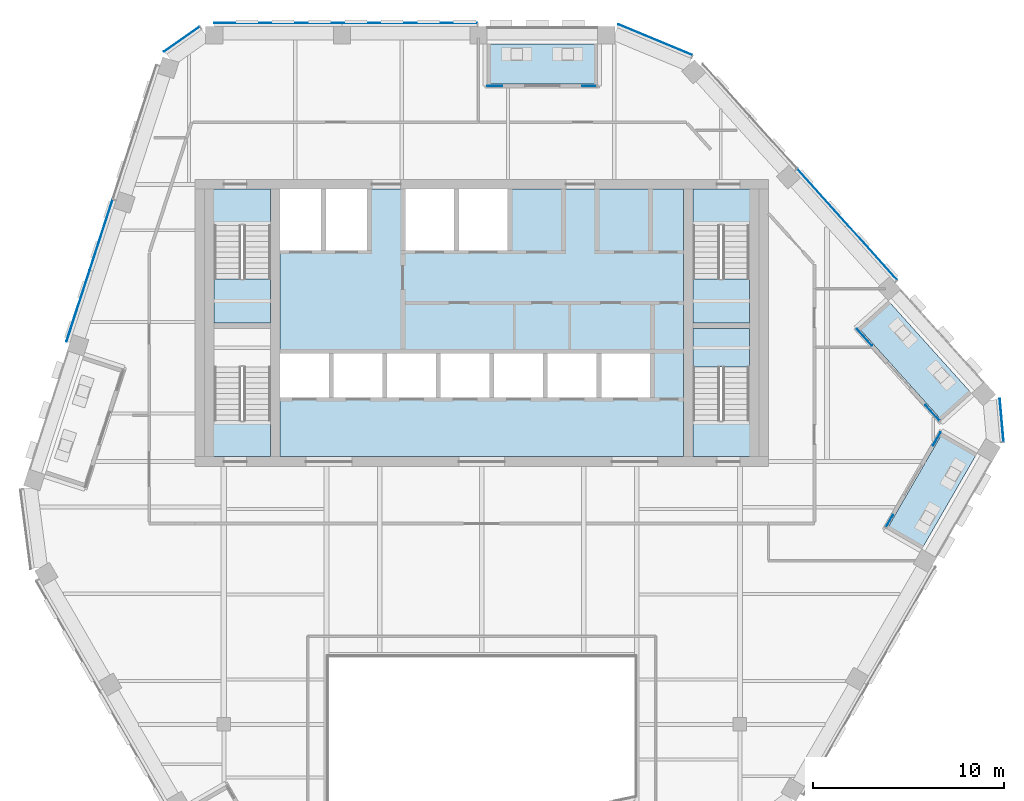
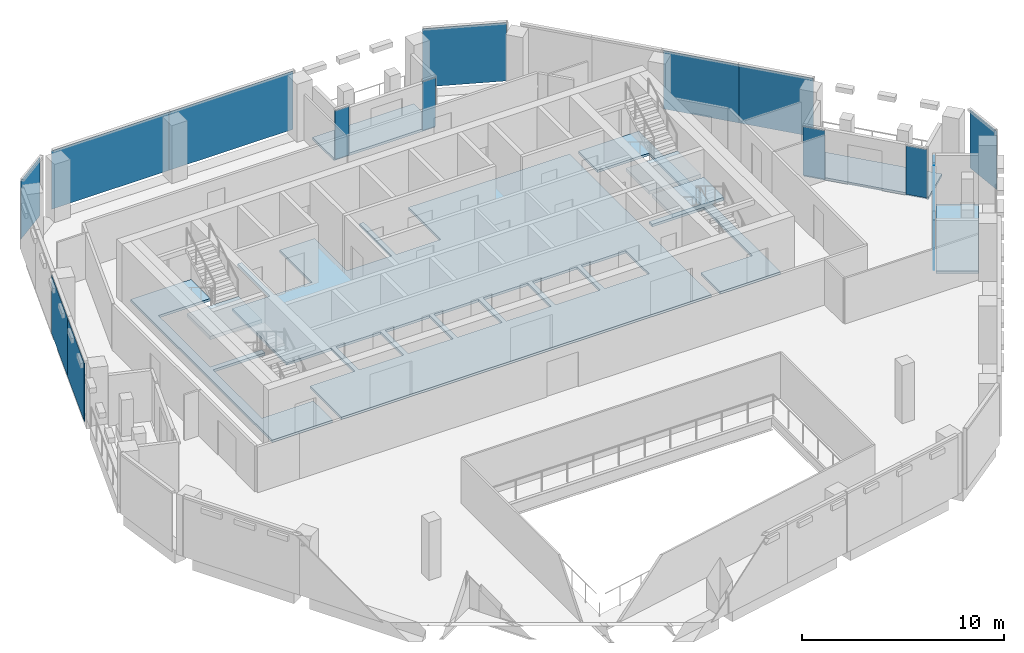
# One storey, part 12 of 22: 15 plates, 9 slabs, 12 elements without a shape of their own.
"""IFC4 building model written with IfcOpenShell, lengths in metres."""

from ifc_helpers import new_model, si_unit, direction, frame, origin, origin_2d, place, context, subcontext, project, spatial, polyline, rectangle, outline, extrude, material, layer, layer_set, type_object, element, aggregate, save


model = new_model("IFC4")

# Units and contexts
model_context = context("Model", 3, precision=1e-05, world=origin(), true_north=direction((0.0, 1.0)))
body_context = subcontext(model_context, "Body", "Model", "MODEL_VIEW")
ifc_project = project(units=[si_unit("LENGTHUNIT", "METRE"), si_unit("AREAUNIT", "SQUARE_METRE"), si_unit("VOLUMEUNIT", "CUBIC_METRE"), si_unit("PLANEANGLEUNIT", "RADIAN"), si_unit("MASSUNIT", "GRAM", prefix="KILO")], contexts=[model_context])

# Site, building, storey
site_placement = place(None, origin())
site = spatial("IfcSite", under=ifc_project, at=site_placement, CompositionType="ELEMENT")
building_placement = place(site_placement, origin())
building = spatial("IfcBuilding", under=site, at=building_placement, Name="Isthmus Gate Tower", CompositionType="ELEMENT")
storey_placement = place(building_placement, frame((0.0, 0.0, 264.60009765625)))
storey = spatial("IfcBuildingStorey", under=building, at=storey_placement, Name="L67", CompositionType="ELEMENT", Elevation=264.60009765625)

# Slabs
ifc_material_1 = material(Name="Concrete f'c 40 MPa", Category="concrete")
ifc_layer_1 = layer(ifc_material_1, 0.14990234375)
ifc_layer_set_1 = layer_set([ifc_layer_1], Name="CORE FLOOR SLAB 150")
slab_type_1 = type_object("IfcSlabType", Name="CORE FLOOR SLAB 150", PredefinedType="FLOOR", material=ifc_layer_set_1)
slab_1_placement = place(storey_placement, frame((0.0, 0.0, -0.150146484375)))
element("IfcSlab", 1, at=slab_1_placement, inside=storey, type_object=slab_type_1, Name="L67 core floor", PredefinedType="FLOOR", context=body_context, shape_type="SweptSolid", body=[
    extrude(outline(polyline([(-11.050048828125, 0.5), (-11.050048828125, 2.402099609375), (-14.0, 2.402099609375), (-14.0, 7.199951171875), (-11.050048828125, 7.199951171875), (-11.050048828125, 7.5), (-14.0, 7.5), (-14.0, 12.597900390625), (-11.050048828125, 12.597900390625), (-11.050048828125, 14.5), (-14.5, 14.5), (-14.5, 0.5), (-11.050048828125, 0.5)])), origin(), (0.0, 0.0, 1.0), 0.150146484375),
])
slab_2_placement = place(storey_placement, frame((0.0, 0.0, -0.150146484375)))
element("IfcSlab", 2, at=slab_2_placement, inside=storey, type_object=slab_type_1, Name="L67 core floor", PredefinedType="FLOOR", context=body_context, shape_type="SweptSolid", body=[
    extrude(outline(polyline([(10.550048828125, 14.5), (1.35009765625, 14.5), (1.35009765625, 11.300048828125), (-1.199951171875, 11.300048828125), (-1.199951171875, 14.5), (-1.449951171875, 14.5), (-1.449951171875, 11.300048828125), (-4.0, 11.300048828125), (-4.0, 14.5), (-6.0, 14.5), (-6.0, 11.300048828125), (-8.14990234375, 11.300048828125), (-8.14990234375, 14.5), (-8.39990234375, 14.5), (-8.39990234375, 11.300048828125), (-10.550048828125, 11.300048828125), (-10.550048828125, 5.89990234375), (-8.0, 5.89990234375), (-8.0, 3.60009765625), (-10.550048828125, 3.60009765625), (-10.550048828125, 0.5), (10.550048828125, 0.5), (10.550048828125, 14.5)]), holes=[polyline([(-5.199951171875, 5.89990234375), (-5.199951171875, 3.60009765625), (-7.75, 3.60009765625), (-7.75, 5.89990234375), (-5.199951171875, 5.89990234375)]), polyline([(-2.39990234375, 5.89990234375), (-2.39990234375, 3.60009765625), (-4.949951171875, 3.60009765625), (-4.949951171875, 5.89990234375), (-2.39990234375, 5.89990234375)]), polyline([(0.39990234375, 5.89990234375), (0.39990234375, 3.60009765625), (-2.14990234375, 3.60009765625), (-2.14990234375, 5.89990234375), (0.39990234375, 5.89990234375)]), polyline([(3.199951171875, 5.89990234375), (3.199951171875, 3.60009765625), (0.64990234375, 3.60009765625), (0.64990234375, 5.89990234375), (3.199951171875, 5.89990234375)]), polyline([(6.0, 5.89990234375), (6.0, 3.60009765625), (3.449951171875, 3.60009765625), (3.449951171875, 5.89990234375), (6.0, 5.89990234375)]), polyline([(8.800048828125, 5.89990234375), (8.800048828125, 3.60009765625), (6.25, 3.60009765625), (6.25, 5.89990234375), (8.800048828125, 5.89990234375)])]), origin(), (0.0, 0.0, 1.0), 0.150146484375),
])
slab_3_placement = place(storey_placement, frame((0.0, 0.0, -0.150146484375)))
element("IfcSlab", 3, at=slab_3_placement, inside=storey, type_object=slab_type_1, Name="L67 core floor", PredefinedType="FLOOR", context=body_context, shape_type="SweptSolid", body=[
    extrude(outline(polyline([(11.050048828125, 14.5), (11.050048828125, 12.597900390625), (14.0, 12.597900390625), (14.0, 7.5), (11.050048828125, 7.5), (11.050048828125, 7.199951171875), (14.0, 7.199951171875), (14.0, 2.402099609375), (11.050048828125, 2.402099609375), (11.050048828125, 0.5), (14.5, 0.5), (14.5, 14.5), (11.050048828125, 14.5)])), origin(), (0.0, 0.0, 1.0), 0.150146484375),
])

# Curtain wall, plates
ifc_material_2 = material(Name="Aluminium, pale champagne anodised", Category="aluminium")
ifc_layer_2 = layer(ifc_material_2, 0.199951171875)
ifc_layer_set_2 = layer_set([ifc_layer_2], Name="CW-1 UNITISED CURTAIN WALL 200 DEEP")
curtain_wall_type_1 = type_object("IfcCurtainWallType", Name="CW-1 UNITISED CURTAIN WALL 200 DEEP", PredefinedType="NOTDEFINED", material=ifc_layer_set_2)
curtain_wall_1_placement = place(storey_placement, origin())
curtain_wall_1 = element("IfcCurtainWall", 4, at=curtain_wall_1_placement, inside=storey, type_object=curtain_wall_type_1, Name="CW-1 N L67", PredefinedType="NOTDEFINED")
ifc_material_3 = material(Name="Laminated low-iron glass, pale blue tint", Category="glass")
ifc_layer_3 = layer(ifc_material_3, 0.031982421875)
ifc_layer_set_3 = layer_set([ifc_layer_3], Name="CW-1 CLEAR GLASS LITE 32")
plate_type_1 = type_object("IfcPlateType", Name="CW-1 CLEAR GLASS LITE 32", PredefinedType="CURTAIN_PANEL", material=ifc_layer_set_3)
plate_1_placement = place(storey_placement, frame((-3.7724609375, 23.18408203125, 0.0), z_axis=(0.0, 0.0, 1.0), x_axis=(-1.0, 0.0, 0.0)))
plate_1 = element("IfcPlate", 5, at=plate_1_placement, type_object=plate_type_1, Name="CW-1 glass lite", PredefinedType="CURTAIN_PANEL", context=body_context, shape_type="SweptSolid", body=[
    extrude(rectangle(XDim=7.074462890625, YDim=0.031982421875, at=origin_2d()), origin(), (0.0, 0.0, 1.0), 3.52001953125),
])
plate_2_placement = place(storey_placement, frame((-10.65185546875, 23.18408203125, 0.0), z_axis=(0.0, 0.0, 1.0), x_axis=(-1.0, 0.0, 0.0)))
plate_2 = element("IfcPlate", 6, at=plate_2_placement, type_object=plate_type_1, Name="CW-1 glass lite", PredefinedType="CURTAIN_PANEL", context=body_context, shape_type="SweptSolid", body=[
    extrude(rectangle(XDim=6.6845703125, YDim=0.031982421875, at=origin_2d()), origin(), (0.0, 0.0, 1.0), 3.52001953125),
])
aggregate(curtain_wall_1, [plate_1, plate_2])

# Curtain wall, plate
curtain_wall_2_placement = place(storey_placement, origin())
curtain_wall_2 = element("IfcCurtainWall", 7, at=curtain_wall_2_placement, inside=storey, type_object=curtain_wall_type_1, Name="CW-1 N-NW L67", PredefinedType="NOTDEFINED")
plate_3_placement = place(storey_placement, frame((-15.6953125, 22.3447265625, 0.0), z_axis=(0.0, 0.0, 1.0), x_axis=(-0.81785959165, -0.57541783805, 0.0)))
plate_3 = element("IfcPlate", 8, at=plate_3_placement, type_object=plate_type_1, Name="CW-1 glass lite", PredefinedType="CURTAIN_PANEL", context=body_context, shape_type="SweptSolid", body=[
    extrude(rectangle(XDim=2.258544921875, YDim=0.031982421875, at=origin_2d()), origin(), (0.0, 0.0, 1.0), 3.52001953125),
])
aggregate(curtain_wall_2, [plate_3])

# Curtain wall, plates
curtain_wall_3_placement = place(storey_placement, origin())
curtain_wall_3 = element("IfcCurtainWall", 9, at=curtain_wall_3_placement, inside=storey, type_object=curtain_wall_type_1, Name="CW-1 NW L67", PredefinedType="NOTDEFINED")
plate_4_placement = place(storey_placement, frame((-19.916259765625, 12.10302734375, 0.0), z_axis=(0.0, 0.0, 1.0), x_axis=(-0.309016994375, -0.951056516295, 0.0)))
plate_4 = element("IfcPlate", 10, at=plate_4_placement, type_object=plate_type_1, Name="CW-1 glass lite", PredefinedType="CURTAIN_PANEL", context=body_context, shape_type="SweptSolid", body=[
    extrude(rectangle(XDim=3.868408203125, YDim=0.031982421875, at=origin_2d()), origin(), (0.0, 0.0, 1.0), 3.52001953125),
])
plate_5_placement = place(storey_placement, frame((-21.120849609375, 8.395263671875, 0.0), z_axis=(0.0, 0.0, 1.0), x_axis=(-0.309016994375, -0.951056516295, 0.0)))
plate_5 = element("IfcPlate", 11, at=plate_5_placement, type_object=plate_type_1, Name="CW-1 glass lite", PredefinedType="CURTAIN_PANEL", context=body_context, shape_type="SweptSolid", body=[
    extrude(rectangle(XDim=3.928466796875, YDim=0.031982421875, at=origin_2d()), origin(), (0.0, 0.0, 1.0), 3.52001953125),
])
aggregate(curtain_wall_3, [plate_4, plate_5])

# Curtain wall, plate
curtain_wall_4_placement = place(storey_placement, origin())
curtain_wall_4 = element("IfcCurtainWall", 12, at=curtain_wall_4_placement, inside=storey, type_object=curtain_wall_type_1, Name="CW-1 SE-NE L67", PredefinedType="NOTDEFINED")
plate_6_placement = place(storey_placement, frame((27.19873046875, 2.420166015625, 0.0), z_axis=(0.0, 0.0, 1.0), x_axis=(-0.089396669717, 0.995996102123, 0.0)))
plate_6 = element("IfcPlate", 13, at=plate_6_placement, type_object=plate_type_1, Name="CW-1 glass lite", PredefinedType="CURTAIN_PANEL", context=body_context, shape_type="SweptSolid", body=[
    extrude(rectangle(XDim=2.258544921875, YDim=0.031982421875, at=origin_2d()), origin(), (0.0, 0.0, 1.0), 3.52001953125),
])
aggregate(curtain_wall_4, [plate_6])

# Curtain wall, plates
curtain_wall_5_placement = place(storey_placement, origin())
curtain_wall_5 = element("IfcCurtainWall", 14, at=curtain_wall_5_placement, inside=storey, type_object=curtain_wall_type_1, Name="CW-1 NE L67", PredefinedType="NOTDEFINED")
plate_7_placement = place(storey_placement, frame((20.439453125, 11.196533203125, 0.0), z_axis=(0.0, 0.0, 1.0), x_axis=(-0.669130606359, 0.743144825477, 0.0)))
plate_7 = element("IfcPlate", 15, at=plate_7_placement, type_object=plate_type_1, Name="CW-1 glass lite", PredefinedType="CURTAIN_PANEL", context=body_context, shape_type="SweptSolid", body=[
    extrude(rectangle(XDim=3.868408203125, YDim=0.031982421875, at=origin_2d()), origin(), (0.0, 0.0, 1.0), 3.52001953125),
])
plate_8_placement = place(storey_placement, frame((17.8310546875, 14.093505859375, 0.0), z_axis=(0.0, 0.0, 1.0), x_axis=(-0.669130606359, 0.743144825477, 0.0)))
plate_8 = element("IfcPlate", 16, at=plate_8_placement, type_object=plate_type_1, Name="CW-1 glass lite", PredefinedType="CURTAIN_PANEL", context=body_context, shape_type="SweptSolid", body=[
    extrude(rectangle(XDim=3.928466796875, YDim=0.031982421875, at=origin_2d()), origin(), (0.0, 0.0, 1.0), 3.52001953125),
])
aggregate(curtain_wall_5, [plate_7, plate_8])

# Curtain wall, plate
curtain_wall_6_placement = place(storey_placement, origin())
curtain_wall_6 = element("IfcCurtainWall", 17, at=curtain_wall_6_placement, inside=storey, type_object=curtain_wall_type_1, Name="CW-1 NE-N L67", PredefinedType="NOTDEFINED")
plate_9_placement = place(storey_placement, frame((9.07568359375, 22.3193359375, 0.0), z_axis=(0.0, 0.0, 1.0), x_axis=(-0.923353128387, 0.383951820282, 0.0)))
plate_9 = element("IfcPlate", 18, at=plate_9_placement, type_object=plate_type_1, Name="CW-1 glass lite", PredefinedType="CURTAIN_PANEL", context=body_context, shape_type="SweptSolid", body=[
    extrude(rectangle(XDim=4.181396484375, YDim=0.031982421875, at=origin_2d()), origin(), (0.0, 0.0, 1.0), 3.52001953125),
])
aggregate(curtain_wall_6, [plate_9])

# Curtain wall, plates
ifc_material_4 = material(Name="Aluminium, pale champagne anodised", Category="aluminium")
ifc_layer_4 = layer(ifc_material_4, 0.14990234375)
ifc_layer_set_4 = layer_set([ifc_layer_4], Name="CW-6 LOGGIA BACK WALL GLAZING 150 DEEP")
curtain_wall_type_2 = type_object("IfcCurtainWallType", Name="CW-6 LOGGIA BACK WALL GLAZING 150 DEEP", PredefinedType="NOTDEFINED", material=ifc_layer_set_4)
curtain_wall_7_placement = place(storey_placement, origin())
curtain_wall_7 = element("IfcCurtainWall", 19, at=curtain_wall_7_placement, inside=storey, type_object=curtain_wall_type_2, Name="CW-6 N L67", PredefinedType="NOTDEFINED")
ifc_material_5 = material(Name="Laminated low-iron glass, clear", Category="glass")
ifc_layer_5 = layer(ifc_material_5, 0.031982421875)
ifc_layer_set_5 = layer_set([ifc_layer_5], Name="CW-6 CLEAR GLASS LITE 32")
plate_type_2 = type_object("IfcPlateType", Name="CW-6 CLEAR GLASS LITE 32", PredefinedType="CURTAIN_PANEL", material=ifc_layer_set_5)
plate_10_placement = place(storey_placement, frame((5.63330078125, 19.89990234375, 0.0), z_axis=(0.0, 0.0, 1.0), x_axis=(-1.0, 0.0, 0.0)))
plate_10 = element("IfcPlate", 20, at=plate_10_placement, type_object=plate_type_2, Name="CW-6 glass lite", PredefinedType="CURTAIN_PANEL", context=body_context, shape_type="SweptSolid", body=[
    extrude(rectangle(XDim=0.732177734375, YDim=0.031982421875, at=origin_2d()), origin(), (0.0, 0.0, 1.0), 2.929931640625),
])
plate_11_placement = place(storey_placement, frame((0.671142578125, 19.89990234375, 0.0), z_axis=(0.0, 0.0, 1.0), x_axis=(-1.0, 0.0, 0.0)))
plate_11 = element("IfcPlate", 21, at=plate_11_placement, type_object=plate_type_2, Name="CW-6 glass lite", PredefinedType="CURTAIN_PANEL", context=body_context, shape_type="SweptSolid", body=[
    extrude(rectangle(XDim=0.792236328125, YDim=0.031982421875, at=origin_2d()), origin(), (0.0, 0.0, 1.0), 2.929931640625),
])
aggregate(curtain_wall_7, [plate_10, plate_11])

curtain_wall_8_placement = place(storey_placement, origin())
curtain_wall_8 = element("IfcCurtainWall", 22, at=curtain_wall_8_placement, inside=storey, type_object=curtain_wall_type_2, Name="CW-6 SE L67", PredefinedType="NOTDEFINED")
plate_12_placement = place(storey_placement, frame((21.32666015625, -2.86083984375, 0.0), z_axis=(0.0, 0.0, 1.0), x_axis=(0.5, 0.866025403784, 0.0)))
plate_12 = element("IfcPlate", 23, at=plate_12_placement, type_object=plate_type_2, Name="CW-6 glass lite", PredefinedType="CURTAIN_PANEL", context=body_context, shape_type="SweptSolid", body=[
    extrude(rectangle(XDim=0.732177734375, YDim=0.031982421875, at=origin_2d()), origin(), (0.0, 0.0, 1.0), 2.929931640625),
])
plate_13_placement = place(storey_placement, frame((23.807861328125, 1.4365234375, 0.0), z_axis=(0.0, 0.0, 1.0), x_axis=(0.5, 0.866025403784, 0.0)))
plate_13 = element("IfcPlate", 24, at=plate_13_placement, type_object=plate_type_2, Name="CW-6 glass lite", PredefinedType="CURTAIN_PANEL", context=body_context, shape_type="SweptSolid", body=[
    extrude(rectangle(XDim=0.792236328125, YDim=0.031982421875, at=origin_2d()), origin(), (0.0, 0.0, 1.0), 2.929931640625),
])
aggregate(curtain_wall_8, [plate_12, plate_13])

curtain_wall_9_placement = place(storey_placement, origin())
curtain_wall_9 = element("IfcCurtainWall", 25, at=curtain_wall_9_placement, inside=storey, type_object=curtain_wall_type_2, Name="CW-6 NE L67", PredefinedType="NOTDEFINED")
plate_14_placement = place(storey_placement, frame((23.58251953125, 2.7978515625, 0.0), z_axis=(0.0, 0.0, 1.0), x_axis=(-0.669130606359, 0.743144825477, 0.0)))
plate_14 = element("IfcPlate", 26, at=plate_14_placement, type_object=plate_type_2, Name="CW-6 glass lite", PredefinedType="CURTAIN_PANEL", context=body_context, shape_type="SweptSolid", body=[
    extrude(rectangle(XDim=1.093505859375, YDim=0.031982421875, at=origin_2d()), origin(), (0.0, 0.0, 1.0), 2.929931640625),
])
plate_15_placement = place(storey_placement, frame((20.0205078125, 6.75390625, 0.0), z_axis=(0.0, 0.0, 1.0), x_axis=(-0.669130606359, 0.743144825477, 0.0)))
plate_15 = element("IfcPlate", 27, at=plate_15_placement, type_object=plate_type_2, Name="CW-6 glass lite", PredefinedType="CURTAIN_PANEL", context=body_context, shape_type="SweptSolid", body=[
    extrude(rectangle(XDim=1.1533203125, YDim=0.031982421875, at=origin_2d()), origin(), (0.0, 0.0, 1.0), 2.929931640625),
])
aggregate(curtain_wall_9, [plate_14, plate_15])

# Slabs
ifc_material_6 = material(Name="Concrete f'c 50 MPa", Category="concrete")
ifc_layer_6 = layer(ifc_material_6, 0.14990234375)
ifc_layer_set_6 = layer_set([ifc_layer_6], Name="LOGGIA FLOOR SLAB 150")
slab_type_2 = type_object("IfcSlabType", Name="LOGGIA FLOOR SLAB 150", PredefinedType="FLOOR", material=ifc_layer_set_6)
slab_4_placement = place(storey_placement, frame((0.0, 0.0, -0.150146484375)))
element("IfcSlab", 28, at=slab_4_placement, inside=storey, type_object=slab_type_2, Name="LOGGIA FLOOR", PredefinedType="FLOOR", context=body_context, shape_type="SweptSolid", body=[
    extrude(outline(polyline([(6.059326171875, 22.10009765625), (0.27490234375, 22.10009765625), (0.27490234375, 20.0), (6.059326171875, 20.0), (6.059326171875, 22.10009765625)])), origin(), (0.0, 0.0, 1.0), 0.150146484375),
])
slab_5_placement = place(storey_placement, frame((0.0, 0.0, -0.150146484375)))
element("IfcSlab", 29, at=slab_5_placement, inside=storey, type_object=slab_type_2, Name="LOGGIA FLOOR", PredefinedType="FLOOR", context=body_context, shape_type="SweptSolid", body=[
    extrude(outline(polyline([(23.01904296875, -4.330078125), (25.9111328125, 0.6796875), (24.092529296875, 1.7294921875), (21.2001953125, -3.280029296875), (23.01904296875, -4.330078125)])), origin(), (0.0, 0.0, 1.0), 0.150146484375),
])
slab_6_placement = place(storey_placement, frame((0.0, 0.0, -0.150146484375)))
element("IfcSlab", 30, at=slab_6_placement, inside=storey, type_object=slab_type_2, Name="LOGGIA FLOOR", PredefinedType="FLOOR", context=body_context, shape_type="SweptSolid", body=[
    extrude(outline(polyline([(25.623291015625, 3.819091796875), (21.26953125, 8.65478515625), (19.708740234375, 7.24951171875), (24.062744140625, 2.4140625), (25.623291015625, 3.819091796875)])), origin(), (0.0, 0.0, 1.0), 0.150146484375),
])

# Stair, slab
ifc_material_7 = material(Name="Concrete f'c 40 MPa", Category="concrete")
stair_type = type_object("IfcStairType", Name="CORE STAIR 22 RISERS", PredefinedType="HALF_TURN_STAIR", material=ifc_material_7)
stair_1_placement = place(storey_placement, origin())
stair_1 = element("IfcStair", 31, at=stair_1_placement, inside=storey, type_object=stair_type, Name="L67 Exit Stair 1", PredefinedType="HALF_TURN_STAIR")
ifc_material_8 = material(Name="Concrete f'c 40 MPa", Category="concrete")
ifc_layer_7 = layer(ifc_material_8, 0.199951171875)
ifc_layer_set_7 = layer_set([ifc_layer_7])
slab_type_3 = type_object("IfcSlabType", Name="STAIR LANDING RC 200", PredefinedType="LANDING", material=ifc_layer_set_7)
slab_7_placement = place(storey_placement, frame((0.0, 0.0, 1.625)))
slab_7 = element("IfcSlab", 32, at=slab_7_placement, type_object=slab_type_3, Name="ST1 landing 1", PredefinedType="LANDING", context=body_context, shape_type="SweptSolid", body=[
    extrude(outline(polyline([(-14.0, 9.800048828125), (-14.0, 7.5), (-11.050048828125, 7.5), (-11.050048828125, 9.800048828125), (-14.0, 9.800048828125)])), origin(), (0.0, 0.0, 1.0), 0.199951171875),
])
aggregate(stair_1, [slab_7])

stair_2_placement = place(storey_placement, origin())
stair_2 = element("IfcStair", 33, at=stair_2_placement, inside=storey, type_object=stair_type, Name="L67 Exit Stair 2", PredefinedType="HALF_TURN_STAIR")
slab_8_placement = place(storey_placement, frame((0.0, 0.0, 1.625)))
slab_8 = element("IfcSlab", 34, at=slab_8_placement, type_object=slab_type_3, Name="ST2 landing 1", PredefinedType="LANDING", context=body_context, shape_type="SweptSolid", body=[
    extrude(outline(polyline([(11.050048828125, 9.800048828125), (11.050048828125, 7.5), (14.0, 7.5), (14.0, 9.800048828125), (11.050048828125, 9.800048828125)])), origin(), (0.0, 0.0, 1.0), 0.199951171875),
])
aggregate(stair_2, [slab_8])

stair_3_placement = place(storey_placement, origin())
stair_3 = element("IfcStair", 35, at=stair_3_placement, inside=storey, type_object=stair_type, Name="L67 Exit Stair 8", PredefinedType="HALF_TURN_STAIR")
slab_9_placement = place(storey_placement, frame((0.0, 0.0, 1.625)))
slab_9 = element("IfcSlab", 36, at=slab_9_placement, type_object=slab_type_3, Name="ST8 landing 1", PredefinedType="LANDING", context=body_context, shape_type="SweptSolid", body=[
    extrude(outline(polyline([(14.0, 5.199951171875), (14.0, 7.199951171875), (11.050048828125, 7.199951171875), (11.050048828125, 5.199951171875), (14.0, 5.199951171875)])), origin(), (0.0, 0.0, 1.0), 0.199951171875),
])
aggregate(stair_3, [slab_9])

save(model, "model.ifc")
